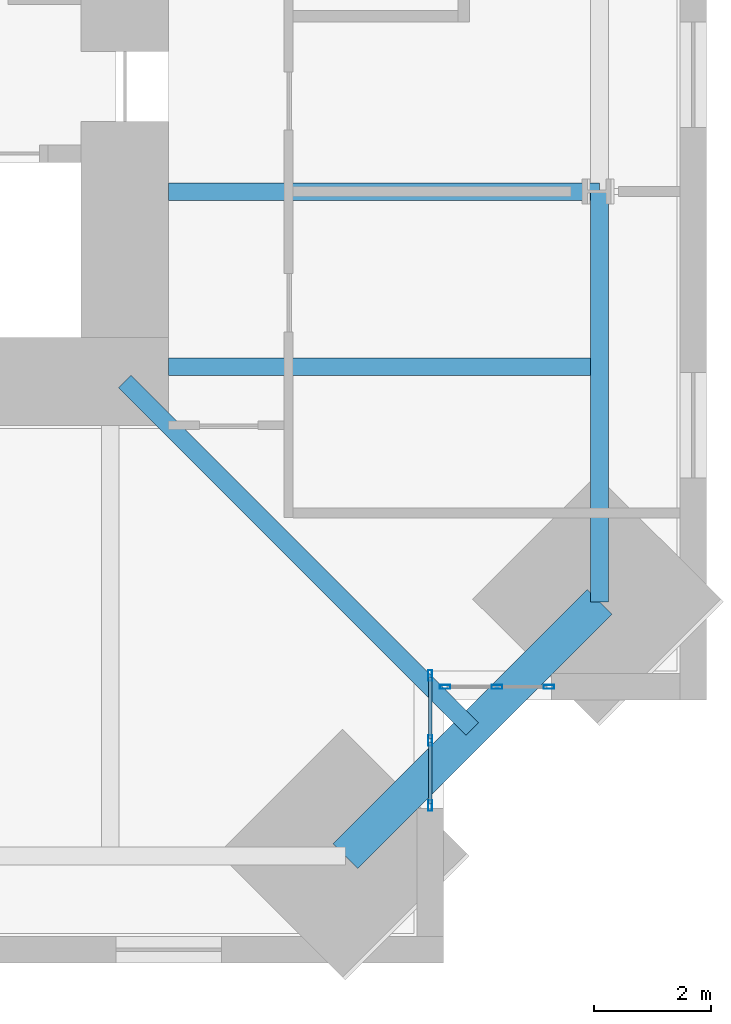
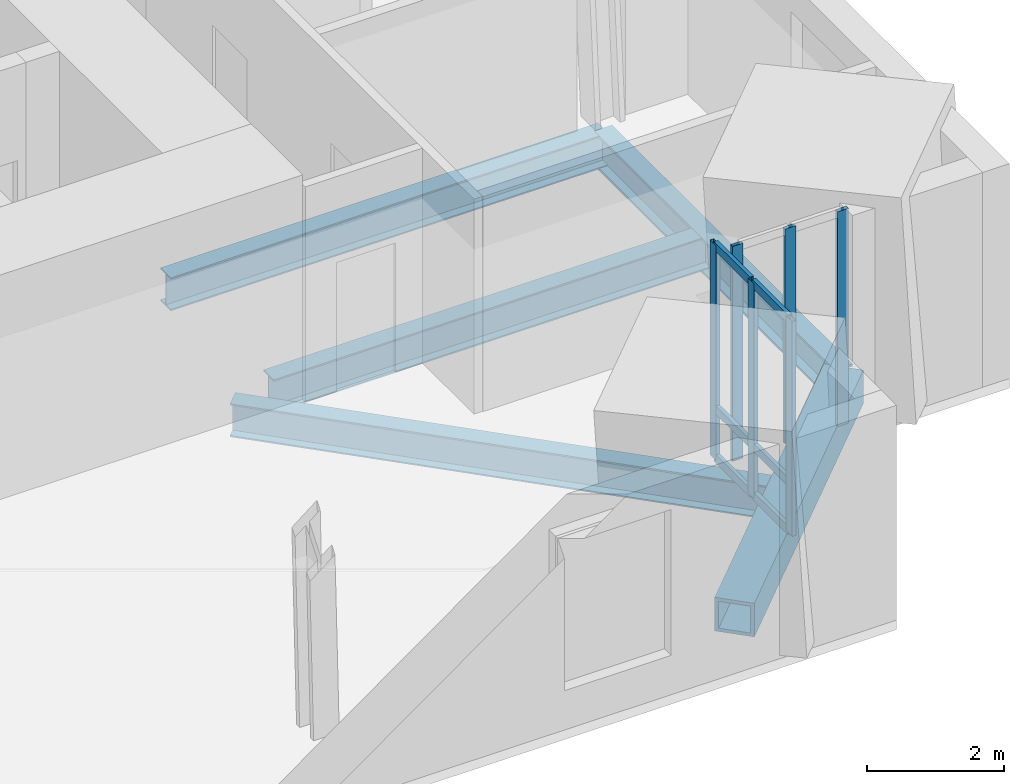
# One storey, part 4 of 15: 12 members, 5 beams, 2 elements without a shape of their own.
"""IFC4 building model written with IfcOpenShell, lengths in metres."""

from ifc_helpers import new_model, si_unit, direction, frame, origin, origin_2d, place, context, subcontext, project, spatial, hollow_rectangle, i_section, extrude, material, material_profile, profile_set, type_object, element, aggregate, save


model = new_model("IFC4")

# Units and contexts
model_context = context("Model", 3, precision=1e-05, world=origin(), true_north=direction((0.0, 1.0)))
body_context = subcontext(model_context, "Body", "Model", "MODEL_VIEW")
ifc_project = project(units=[si_unit("LENGTHUNIT", "METRE"), si_unit("AREAUNIT", "SQUARE_METRE"), si_unit("VOLUMEUNIT", "CUBIC_METRE"), si_unit("PLANEANGLEUNIT", "RADIAN"), si_unit("MASSUNIT", "GRAM", prefix="KILO")], contexts=[model_context])

# Site, building, storey
site_placement = place(None, origin())
site = spatial("IfcSite", under=ifc_project, at=site_placement, CompositionType="ELEMENT")
building_placement = place(site_placement, origin())
building = spatial("IfcBuilding", under=site, at=building_placement, Name="Peilmerk Tower", CompositionType="ELEMENT")
storey_placement = place(building_placement, frame((0.0, 0.0, 285.800048828125)))
storey = spatial("IfcBuildingStorey", under=building, at=storey_placement, Name="L64", CompositionType="ELEMENT", Elevation=285.800048828125)

# Beams
ifc_material_1 = material(Name="Steel S460", Category="steel")
ifc_material_profile_1 = material_profile(ifc_material_1, hollow_rectangle(XDim=0.60009765625, YDim=0.60009765625, WallThickness=0.06005859375, at=origin_2d()), Name="BOX 600x600x60")
ifc_profile_set_1 = profile_set([ifc_material_profile_1], Name="Steel S460")
beam_type_1 = type_object("IfcBeamType", Name="B20 BOX 600x600x60 notch beam", PredefinedType="SPANDREL", material=ifc_profile_set_1)
beam_1_placement = place(storey_placement, frame((19.37255859375, -15.0224609375, -0.469970703125), z_axis=(-0.707106781187, -0.707106781187, 0.0), x_axis=(0.707106781187, -0.707106781187, 0.0)))
element("IfcBeam", 1, at=beam_1_placement, inside=storey, type_object=beam_type_1, Name="Notch beam L64", PredefinedType="SPANDREL", context=body_context, shape_type="SweptSolid", body=[
    extrude(hollow_rectangle(XDim=0.60009765625, YDim=0.60009765625, WallThickness=0.06005859375, at=origin_2d()), origin(), (0.0, 0.0, 1.0), 6.15185546875),
])
ifc_material_2 = material(Name="Steel S355", Category="steel")
ifc_material_profile_2 = material_profile(ifc_material_2, i_section(OverallWidth=0.300048828125, OverallDepth=0.590087890625, WebThickness=0.012939453125, FlangeThickness=0.02490234375, at=origin_2d()), Name="HEA 600")
ifc_profile_set_2 = profile_set([ifc_material_profile_2], Name="Steel S355")
beam_type_2 = type_object("IfcBeamType", Name="B27 HEA 600 floor beam", PredefinedType="BEAM", material=ifc_profile_set_2)
for number, where, z_axis, x_axis, name in (
    (2, (12.0, -11.0, -0.465087890625), (1.0, 0.0, 0.0), (0.0, 1.0, 0.0), "Floor beam L64"),
    (3, (12.0, -8.0, -0.465087890625), (1.0, 0.0, 0.0), (0.0, 1.0, 0.0), "Floor beam L64"),
):
    element("IfcBeam", number, at=place(storey_placement, frame(where, z_axis=z_axis, x_axis=x_axis)), inside=storey, type_object=beam_type_2, Name=name, PredefinedType="BEAM", context=body_context, shape_type="SweptSolid", body=[
        extrude(i_section(OverallWidth=0.300048828125, OverallDepth=0.590087890625, WebThickness=0.012939453125, FlangeThickness=0.02490234375, at=origin_2d()), origin(), (0.0, 0.0, 1.0), 7.37255859375),
    ])
beam_2_placement = place(storey_placement, frame((11.25, -11.25, -0.465087890625), z_axis=(0.707106781187, -0.707106781187, 0.0), x_axis=(0.707106781187, 0.707106781187, 0.0)))
element("IfcBeam", 4, at=beam_2_placement, inside=storey, type_object=beam_type_2, Name="Corner girder L64", PredefinedType="BEAM", context=body_context, shape_type="SweptSolid", body=[
    extrude(i_section(OverallWidth=0.300048828125, OverallDepth=0.590087890625, WebThickness=0.012939453125, FlangeThickness=0.02490234375, at=origin_2d()), origin(), (0.0, 0.0, 1.0), 8.4111328125),
])
ifc_material_profile_3 = material_profile(ifc_material_2, i_section(OverallWidth=0.304931640625, OverallDepth=0.6201171875, WebThickness=0.02099609375, FlangeThickness=0.0400390625, at=origin_2d()), Name="HEM 600")
ifc_profile_set_3 = profile_set([ifc_material_profile_3], Name="Steel S355")
beam_type_3 = type_object("IfcBeamType", Name="B31 HEM 600 edge beam", PredefinedType="SPANDREL", material=ifc_profile_set_3)
beam_3_placement = place(storey_placement, frame((19.37255859375, -15.0224609375, -0.47998046875), z_axis=(0.0, 1.0, 0.0), x_axis=(-1.0, 0.0, 0.0)))
element("IfcBeam", 5, at=beam_3_placement, inside=storey, type_object=beam_type_3, Name="Edge beam L64", PredefinedType="SPANDREL", context=body_context, shape_type="SweptSolid", body=[
    extrude(i_section(OverallWidth=0.304931640625, OverallDepth=0.6201171875, WebThickness=0.02099609375, FlangeThickness=0.0400390625, at=origin_2d()), origin(), (0.0, 0.0, 1.0), 7.0224609375),
])

# Curtain wall, members
ifc_material_3 = material(Name="Aluminium stick curtain wall", Category="aluminium")
curtain_wall_type = type_object("IfcCurtainWallType", Name="CW4 stick curtain wall, 2250 module", PredefinedType="NOTDEFINED", material=ifc_material_3)
curtain_wall_1_placement = place(storey_placement, origin())
curtain_wall_1 = element("IfcCurtainWall", 6, at=curtain_wall_1_placement, inside=storey, type_object=curtain_wall_type, Name="Curtain wall CW4 SEA L64", PredefinedType="NOTDEFINED")
ifc_material_4 = material(Name="Aluminium EN AW-6063 T6", Category="aluminium")
ifc_material_profile_4 = material_profile(ifc_material_4, hollow_rectangle(XDim=0.06494140625, YDim=0.179931640625, WallThickness=0.0029296875, at=origin_2d()), Name="AL 180x65x3")
ifc_profile_set_4 = profile_set([ifc_material_profile_4], Name="Aluminium EN AW-6063 T6")
member_type_1 = type_object("IfcMemberType", Name="CW4-M AL 180x65x3 mullion", PredefinedType="MULLION", material=ifc_profile_set_4)
member_1_placement = place(storey_placement, frame((16.47509765625, -16.282470703125, 0.0), z_axis=(0.0, 0.0, 1.0), x_axis=(1.0, 0.0, 0.0)))
member_1 = element("IfcMember", 7, at=member_1_placement, type_object=member_type_1, Name="CW4 mullion 1", PredefinedType="MULLION", context=body_context, shape_type="SweptSolid", body=[
    extrude(hollow_rectangle(XDim=0.06494140625, YDim=0.179931640625, WallThickness=0.0029296875, at=origin_2d()), origin(), (0.0, 0.0, 1.0), 3.829833984375),
])
member_2_placement = place(storey_placement, frame((16.47509765625, -17.394287109375, 0.0), z_axis=(0.0, 0.0, 1.0), x_axis=(1.0, 0.0, 0.0)))
member_2 = element("IfcMember", 8, at=member_2_placement, type_object=member_type_1, Name="CW4 mullion 2", PredefinedType="MULLION", context=body_context, shape_type="SweptSolid", body=[
    extrude(hollow_rectangle(XDim=0.06494140625, YDim=0.179931640625, WallThickness=0.0029296875, at=origin_2d()), origin(), (0.0, 0.0, 1.0), 3.829833984375),
])
member_3_placement = place(storey_placement, frame((16.47509765625, -18.506103515625, 0.0), z_axis=(0.0, 0.0, 1.0), x_axis=(1.0, 0.0, 0.0)))
member_3 = element("IfcMember", 9, at=member_3_placement, type_object=member_type_1, Name="CW4 mullion 3", PredefinedType="MULLION", context=body_context, shape_type="SweptSolid", body=[
    extrude(hollow_rectangle(XDim=0.06494140625, YDim=0.179931640625, WallThickness=0.0029296875, at=origin_2d()), origin(), (0.0, 0.0, 1.0), 3.829833984375),
])

curtain_wall_2_placement = place(storey_placement, origin())
curtain_wall_2 = element("IfcCurtainWall", 10, at=curtain_wall_2_placement, inside=storey, type_object=curtain_wall_type, Name="Curtain wall CW4 SEB L64", PredefinedType="NOTDEFINED")
member_4_placement = place(storey_placement, frame((16.732421875, -16.47509765625, 0.0), z_axis=(0.0, 0.0, 1.0), x_axis=(0.0, 1.0, 0.0)))
member_4 = element("IfcMember", 11, at=member_4_placement, type_object=member_type_1, Name="CW4 mullion 1", PredefinedType="MULLION", context=body_context, shape_type="SweptSolid", body=[
    extrude(hollow_rectangle(XDim=0.06494140625, YDim=0.179931640625, WallThickness=0.0029296875, at=origin_2d()), origin(), (0.0, 0.0, 1.0), 3.829833984375),
])
member_5_placement = place(storey_placement, frame((17.619384765625, -16.47509765625, 0.0), z_axis=(0.0, 0.0, 1.0), x_axis=(0.0, 1.0, 0.0)))
member_5 = element("IfcMember", 12, at=member_5_placement, type_object=member_type_1, Name="CW4 mullion 2", PredefinedType="MULLION", context=body_context, shape_type="SweptSolid", body=[
    extrude(hollow_rectangle(XDim=0.06494140625, YDim=0.179931640625, WallThickness=0.0029296875, at=origin_2d()), origin(), (0.0, 0.0, 1.0), 3.829833984375),
])
member_6_placement = place(storey_placement, frame((18.506103515625, -16.47509765625, 0.0), z_axis=(0.0, 0.0, 1.0), x_axis=(0.0, 1.0, 0.0)))
member_6 = element("IfcMember", 13, at=member_6_placement, type_object=member_type_1, Name="CW4 mullion 3", PredefinedType="MULLION", context=body_context, shape_type="SweptSolid", body=[
    extrude(hollow_rectangle(XDim=0.06494140625, YDim=0.179931640625, WallThickness=0.0029296875, at=origin_2d()), origin(), (0.0, 0.0, 1.0), 3.829833984375),
])
aggregate(curtain_wall_2, [member_4, member_5, member_6])

# Member
ifc_material_profile_5 = material_profile(ifc_material_4, hollow_rectangle(XDim=0.06494140625, YDim=0.14990234375, WallThickness=0.0029296875, at=origin_2d()), Name="AL 150x65x3")
ifc_profile_set_5 = profile_set([ifc_material_profile_5], Name="Aluminium EN AW-6063 T6")
member_type_2 = type_object("IfcMemberType", Name="CW4-T AL 150x65x3 transom", PredefinedType="USERDEFINED", material=ifc_profile_set_5)
member_7_placement = place(storey_placement, frame((16.47509765625, -16.31494140625, 0.032470703125), z_axis=(0.0, -1.0, 0.0), x_axis=(1.0, 0.0, 0.0)))
member_7 = element("IfcMember", 14, at=member_7_placement, type_object=member_type_2, Name="CW4 transom 1.1", ObjectType="TRANSOM", PredefinedType="USERDEFINED", context=body_context, shape_type="SweptSolid", body=[
    extrude(hollow_rectangle(XDim=0.06494140625, YDim=0.14990234375, WallThickness=0.0029296875, at=origin_2d()), origin(), (0.0, 0.0, 1.0), 1.046875),
])

member_8_placement = place(storey_placement, frame((16.47509765625, -16.31494140625, 0.89990234375), z_axis=(0.0, -1.0, 0.0), x_axis=(1.0, 0.0, 0.0)))
member_8 = element("IfcMember", 15, at=member_8_placement, type_object=member_type_2, Name="CW4 transom 1.2", ObjectType="TRANSOM", PredefinedType="USERDEFINED", context=body_context, shape_type="SweptSolid", body=[
    extrude(hollow_rectangle(XDim=0.06494140625, YDim=0.14990234375, WallThickness=0.0029296875, at=origin_2d()), origin(), (0.0, 0.0, 1.0), 1.046875),
])

member_9_placement = place(storey_placement, frame((16.47509765625, -16.31494140625, 3.79736328125), z_axis=(0.0, -1.0, 0.0), x_axis=(1.0, 0.0, 0.0)))
member_9 = element("IfcMember", 16, at=member_9_placement, type_object=member_type_2, Name="CW4 transom 1.3", ObjectType="TRANSOM", PredefinedType="USERDEFINED", context=body_context, shape_type="SweptSolid", body=[
    extrude(hollow_rectangle(XDim=0.06494140625, YDim=0.14990234375, WallThickness=0.0029296875, at=origin_2d()), origin(), (0.0, 0.0, 1.0), 1.046875),
])

member_10_placement = place(storey_placement, frame((16.47509765625, -17.4267578125, 0.032470703125), z_axis=(0.0, -1.0, 0.0), x_axis=(1.0, 0.0, 0.0)))
member_10 = element("IfcMember", 17, at=member_10_placement, type_object=member_type_2, Name="CW4 transom 2.1", ObjectType="TRANSOM", PredefinedType="USERDEFINED", context=body_context, shape_type="SweptSolid", body=[
    extrude(hollow_rectangle(XDim=0.06494140625, YDim=0.14990234375, WallThickness=0.0029296875, at=origin_2d()), origin(), (0.0, 0.0, 1.0), 1.046875),
])

member_11_placement = place(storey_placement, frame((16.47509765625, -17.4267578125, 0.89990234375), z_axis=(0.0, -1.0, 0.0), x_axis=(1.0, 0.0, 0.0)))
member_11 = element("IfcMember", 18, at=member_11_placement, type_object=member_type_2, Name="CW4 transom 2.2", ObjectType="TRANSOM", PredefinedType="USERDEFINED", context=body_context, shape_type="SweptSolid", body=[
    extrude(hollow_rectangle(XDim=0.06494140625, YDim=0.14990234375, WallThickness=0.0029296875, at=origin_2d()), origin(), (0.0, 0.0, 1.0), 1.046875),
])

member_12_placement = place(storey_placement, frame((16.47509765625, -17.4267578125, 3.79736328125), z_axis=(0.0, -1.0, 0.0), x_axis=(1.0, 0.0, 0.0)))
member_12 = element("IfcMember", 19, at=member_12_placement, type_object=member_type_2, Name="CW4 transom 2.3", ObjectType="TRANSOM", PredefinedType="USERDEFINED", context=body_context, shape_type="SweptSolid", body=[
    extrude(hollow_rectangle(XDim=0.06494140625, YDim=0.14990234375, WallThickness=0.0029296875, at=origin_2d()), origin(), (0.0, 0.0, 1.0), 1.046875),
])

aggregate(curtain_wall_1, [member_1, member_2, member_3, member_7, member_8, member_9, member_10, member_11, member_12])

save(model, "model.ifc")
